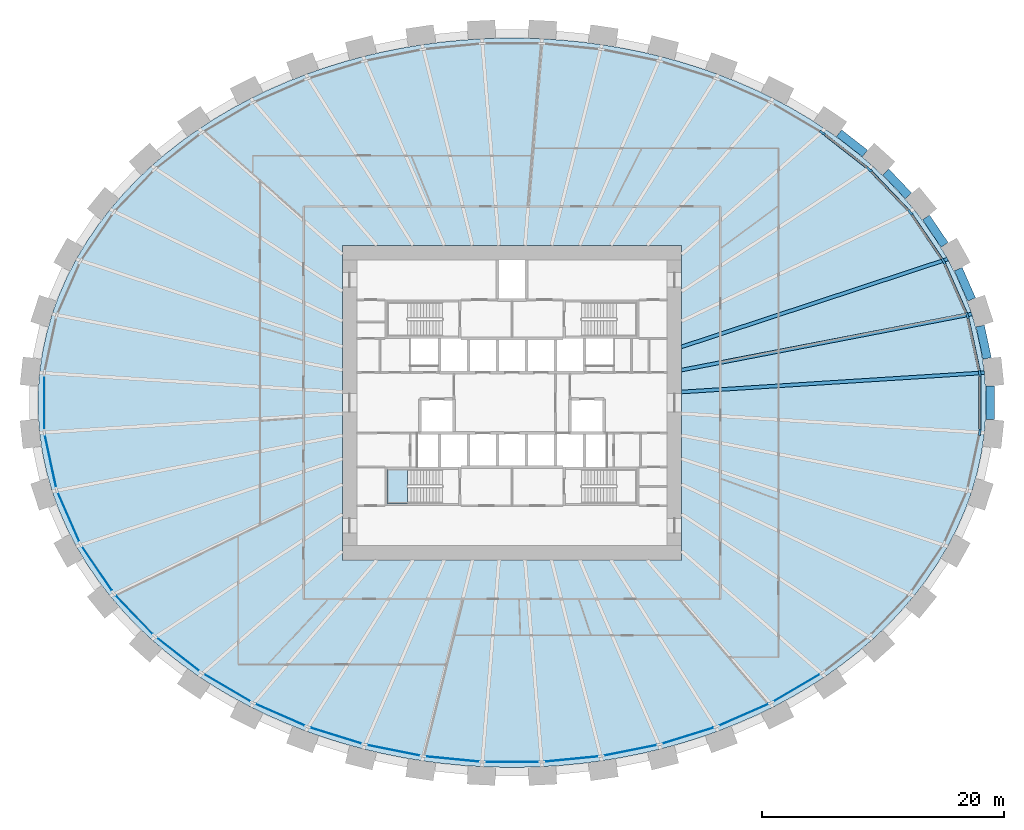
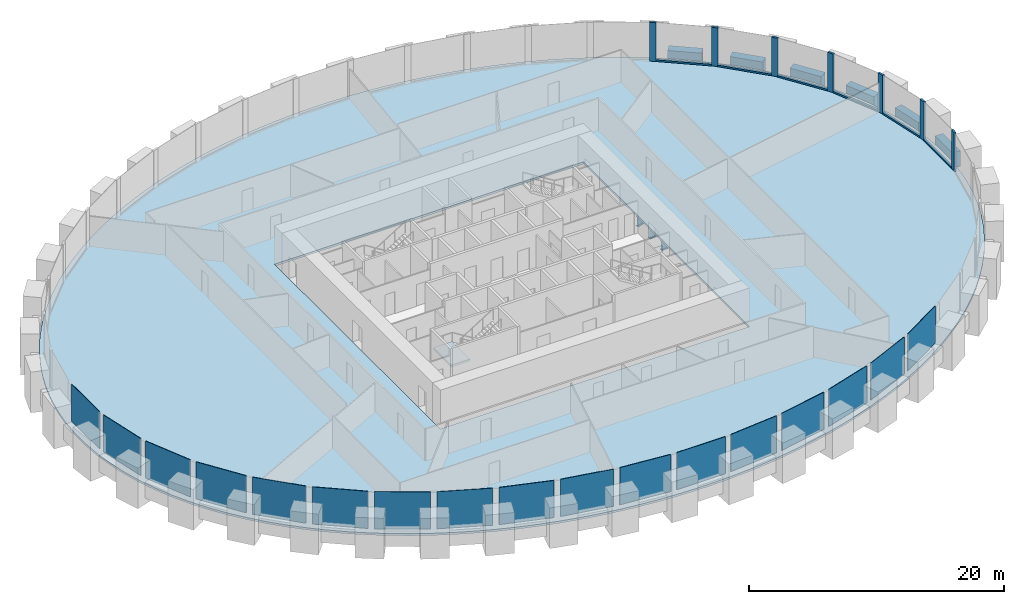
# One storey, part 4 of 10: 17 plates, 13 members, 9 beams, 2 slabs, 2 elements without a shape of their own.
"""IFC4 building model written with IfcOpenShell, lengths in metres."""

from ifc_helpers import new_model, si_unit, direction, frame, origin, origin_2d, place, context, subcontext, project, spatial, polyline, rectangle, i_section, outline, extrude, source, transform, mapped, material, layer, layer_set, material_profile, profile_set, type_object, element, aggregate, save


model = new_model("IFC4")

# Units and contexts
model_context = context("Model", 3, precision=1e-05, world=origin(), true_north=direction((0.0, 1.0)))
body_context = subcontext(model_context, "Body", "Model", "MODEL_VIEW")
ifc_project = project(units=[si_unit("LENGTHUNIT", "METRE"), si_unit("AREAUNIT", "SQUARE_METRE"), si_unit("VOLUMEUNIT", "CUBIC_METRE"), si_unit("PLANEANGLEUNIT", "RADIAN"), si_unit("MASSUNIT", "GRAM", prefix="KILO")], contexts=[model_context])

# Site, building, storey
site_placement = place(None, origin())
site = spatial("IfcSite", under=ifc_project, at=site_placement, CompositionType="ELEMENT")
building_placement = place(site_placement, origin())
building = spatial("IfcBuilding", under=site, at=building_placement, Name="Embergate Tower", CompositionType="ELEMENT")
storey_placement = place(building_placement, frame((0.0, 0.0, 117.199951171875)))
storey = spatial("IfcBuildingStorey", under=building, at=storey_placement, Name="L25", CompositionType="ELEMENT", Elevation=117.199951171875)

# Beams
ifc_material_1 = material(Name="Concrete C70", Category="concrete")
ifc_material_profile_1 = material_profile(ifc_material_1, rectangle(XDim=0.699951171875, YDim=1.5, at=origin_2d()), Name="RC 700x1500")
ifc_profile_set_1 = profile_set([ifc_material_profile_1], Name="Concrete C70")
beam_type_1 = type_object("IfcBeamType", Name="Spandrel beam RC 700x1500 C70", PredefinedType="BEAM", material=ifc_profile_set_1)
shared_shape_1 = source(origin(), body_context, "Body", "SweptSolid", [
    extrude(rectangle(XDim=0.699951171875, YDim=1.5, at=origin_2d()), origin(), (0.0, 0.0, 1.0), 2.741455078125),
])
beam_1_placement = place(storey_placement, frame((39.22509765625, 3.657958984375, 0.0), z_axis=(-0.210532507107, 0.977586857241, 0.0), x_axis=(-0.977586857241, -0.210532507107, 0.0)))
element("IfcBeam", 1, at=beam_1_placement, inside=storey, type_object=beam_type_1, Name="SPN-L25-00", PredefinedType="BEAM", context=body_context, shape_type="MappedRepresentation", body=[
    mapped(shared_shape_1, transform((0.0, 0.0, 0.0))),
])
shared_shape_2 = source(origin(), body_context, "Body", "SweptSolid", [
    extrude(rectangle(XDim=0.699951171875, YDim=1.5, at=origin_2d()), origin(), (0.0, 0.0, 1.0), 2.73779296875),
])
beam_2_placement = place(storey_placement, frame((37.94091796875, 8.52587890625, 0.0), z_axis=(-0.401740219387, 0.915753676556, 0.0), x_axis=(-0.915753676556, -0.401740219387, 0.0)))
element("IfcBeam", 2, at=beam_2_placement, inside=storey, type_object=beam_type_1, Name="SPN-L25-01", PredefinedType="BEAM", context=body_context, shape_type="MappedRepresentation", body=[
    mapped(shared_shape_2, transform((0.0, 0.0, 0.0))),
])
shared_shape_3 = source(origin(), body_context, "Body", "SweptSolid", [
    extrude(rectangle(XDim=0.699951171875, YDim=1.5, at=origin_2d()), origin(), (0.0, 0.0, 1.0), 2.727294921875),
])
beam_3_placement = place(storey_placement, frame((35.7099609375, 13.035888671875, 0.0), z_axis=(-0.562422644454, 0.826849907181, 0.0), x_axis=(-0.826849907181, -0.562422644454, 0.0)))
element("IfcBeam", 3, at=beam_3_placement, inside=storey, type_object=beam_type_1, Name="SPN-L25-02", PredefinedType="BEAM", context=body_context, shape_type="MappedRepresentation", body=[
    mapped(shared_shape_3, transform((0.0, 0.0, 0.0))),
])
shared_shape_4 = source(origin(), body_context, "Body", "SweptSolid", [
    extrude(rectangle(XDim=0.699951171875, YDim=1.5, at=origin_2d()), origin(), (0.0, 0.0, 1.0), 2.720947265625),
])
beam_4_placement = place(storey_placement, frame((32.73095703125, 17.0810546875, 0.0), z_axis=(-0.690174788546, 0.723642702759, 0.0), x_axis=(-0.723642702759, -0.690174788546, 0.0)))
element("IfcBeam", 4, at=beam_4_placement, inside=storey, type_object=beam_type_1, Name="SPN-L25-03", PredefinedType="BEAM", context=body_context, shape_type="MappedRepresentation", body=[
    mapped(shared_shape_4, transform((0.0, 0.0, 0.0))),
])
shared_shape_5 = source(origin(), body_context, "Body", "SweptSolid", [
    extrude(rectangle(XDim=0.699951171875, YDim=1.5, at=origin_2d()), origin(), (0.0, 0.0, 1.0), 2.715087890625),
])
beam_5_placement = place(storey_placement, frame((29.135009765625, 20.5791015625, 0.0), z_axis=(-0.788183854673, 0.61543985184, 0.0), x_axis=(-0.61543985184, -0.788183854673, 0.0)))
element("IfcBeam", 5, at=beam_5_placement, inside=storey, type_object=beam_type_1, Name="SPN-L25-04", PredefinedType="BEAM", context=body_context, shape_type="MappedRepresentation", body=[
    mapped(shared_shape_5, transform((0.0, 0.0, 0.0))),
])
shared_shape_6 = source(origin(), body_context, "Body", "SweptSolid", [
    extrude(rectangle(XDim=0.699951171875, YDim=1.5, at=origin_2d()), origin(), (0.0, 0.0, 1.0), 2.7421875),
])
beam_6_placement = place(storey_placement, frame((39.468017578125, -1.37109375, 0.0), z_axis=(0.0, 1.0, 0.0), x_axis=(-1.0, 0.0, 0.0)))
element("IfcBeam", 6, at=beam_6_placement, inside=storey, type_object=beam_type_1, Name="SPN-L25-43", PredefinedType="BEAM", context=body_context, shape_type="MappedRepresentation", body=[
    mapped(shared_shape_6, transform((0.0, 0.0, 0.0))),
])
ifc_material_2 = material(Name="Steel Q355B", Category="steel")
ifc_material_profile_2 = material_profile(ifc_material_2, i_section(OverallWidth=0.300048828125, OverallDepth=0.89990234375, WebThickness=0.01611328125, FlangeThickness=0.028076171875, FilletRadius=0.028076171875, at=origin_2d()), Name="HN 900x300x16x28")
ifc_profile_set_2 = profile_set([ifc_material_profile_2], Name="Steel Q355 grade B")
beam_type_2 = type_object("IfcBeamType", Name="Radial girder HN 900x300x16x28", PredefinedType="BEAM", material=ifc_profile_set_2)
shared_shape_7 = source(origin(), body_context, "Body", "SweptSolid", [
    extrude(i_section(OverallWidth=0.300048828125, OverallDepth=0.89990234375, WebThickness=0.01611328125, FlangeThickness=0.028076171875, FilletRadius=0.028076171875, at=origin_2d()), origin(), (0.0, 0.0, 1.0), 25.04833984375),
])
beam_7_placement = place(storey_placement, frame((38.998046875, 2.47705078125, -0.64990234375), z_axis=(-0.997988035397, -0.063402533111, 0.0), x_axis=(0.063402533111, -0.997988035397, 0.0)))
element("IfcBeam", 7, at=beam_7_placement, inside=storey, type_object=beam_type_2, Name="GIR-L25-00", PredefinedType="BEAM", context=body_context, shape_type="MappedRepresentation", body=[
    mapped(shared_shape_7, transform((0.0, 0.0, 0.0))),
])
shared_shape_8 = source(origin(), body_context, "Body", "SweptSolid", [
    extrude(i_section(OverallWidth=0.300048828125, OverallDepth=0.89990234375, WebThickness=0.01611328125, FlangeThickness=0.028076171875, FilletRadius=0.028076171875, at=origin_2d()), origin(), (0.0, 0.0, 1.0), 24.397705078125),
])
beam_8_placement = place(storey_placement, frame((37.9560546875, 7.322021484375, -0.64990234375), z_axis=(-0.981898654656, -0.18940705368, 0.0), x_axis=(0.18940705368, -0.981898654656, 0.0)))
element("IfcBeam", 8, at=beam_8_placement, inside=storey, type_object=beam_type_2, Name="GIR-L25-01", PredefinedType="BEAM", context=body_context, shape_type="MappedRepresentation", body=[
    mapped(shared_shape_8, transform((0.0, 0.0, 0.0))),
])
shared_shape_9 = source(origin(), body_context, "Body", "SweptSolid", [
    extrude(i_section(OverallWidth=0.300048828125, OverallDepth=0.89990234375, WebThickness=0.01611328125, FlangeThickness=0.028076171875, FilletRadius=0.028076171875, at=origin_2d()), origin(), (0.0, 0.0, 1.0), 23.12890625),
])
beam_9_placement = place(storey_placement, frame((35.965087890625, 11.861083984375, -0.64990234375), z_axis=(-0.949684454756, -0.313208295541, 0.0), x_axis=(0.313208295541, -0.949684454756, 0.0)))
element("IfcBeam", 9, at=beam_9_placement, inside=storey, type_object=beam_type_2, Name="GIR-L25-02", PredefinedType="BEAM", context=body_context, shape_type="MappedRepresentation", body=[
    mapped(shared_shape_9, transform((0.0, 0.0, 0.0))),
])

# Curtain wall, members
ifc_material_3 = material(Name="Aluminium and glass", Category="aluminium")
curtain_wall_type = type_object("IfcCurtainWallType", Name="Recessed office glazing", PredefinedType="NOTDEFINED", material=ifc_material_3)
curtain_wall_placement = place(storey_placement, origin())
curtain_wall = element("IfcCurtainWall", 10, at=curtain_wall_placement, inside=storey, type_object=curtain_wall_type, Name="Recessed office glazing ring", ObjectType="RECESSED OFFICE GLAZING", PredefinedType="USERDEFINED")
ifc_material_4 = material(Name="Aluminium, thermally broken", Category="aluminium")
ifc_material_profile_3 = material_profile(ifc_material_4, rectangle(XDim=0.179931640625, YDim=0.52001953125, at=origin_2d()), Name="AL 520x180")
ifc_profile_set_3 = profile_set([ifc_material_profile_3], Name="Aluminium, thermally broken")
member_type_1 = type_object("IfcMemberType", Name="Office mullion", PredefinedType="MULLION", material=ifc_profile_set_3)
shared_shape_10 = source(origin(), body_context, "Body", "SweptSolid", [
    extrude(rectangle(XDim=0.179931640625, YDim=0.52001953125, at=origin_2d()), origin(), (0.0, 0.0, 1.0), 3.699951171875),
])
member_1_placement = place(storey_placement, frame((38.610595703125, 2.435791015625, 0.0), z_axis=(0.0, 0.0, 1.0), x_axis=(-0.994385324123, -0.105819786286, 0.0)))
member_1 = element("IfcMember", 11, at=member_1_placement, type_object=member_type_1, Name="CW mullion 1", PredefinedType="MULLION", context=body_context, shape_type="MappedRepresentation", body=[
    mapped(shared_shape_10, transform((0.0, 0.0, 0.0))),
])
member_2_placement = place(storey_placement, frame((37.5849609375, 7.20068359375, 0.0), z_axis=(0.0, 0.0, 1.0), x_axis=(-0.951500482757, -0.30764725143, 0.0)))
member_2 = element("IfcMember", 12, at=member_2_placement, type_object=member_type_1, Name="CW mullion 2", PredefinedType="MULLION", context=body_context, shape_type="MappedRepresentation", body=[
    mapped(shared_shape_10, transform((0.0, 0.0, 0.0))),
])
member_3_placement = place(storey_placement, frame((35.62451171875, 11.6708984375, 0.0), z_axis=(0.0, 0.0, 1.0), x_axis=(-0.875006965472, -0.484110328723, 0.0)))
member_3 = element("IfcMember", 13, at=member_3_placement, type_object=member_type_1, Name="CW mullion 3", PredefinedType="MULLION", context=body_context, shape_type="MappedRepresentation", body=[
    mapped(shared_shape_10, transform((0.0, 0.0, 0.0))),
])
member_4_placement = place(storey_placement, frame((32.87451171875, 15.714599609375, 0.0), z_axis=(0.0, 0.0, 1.0), x_axis=(-0.777879145133, -0.628413904658, 0.0)))
member_4 = element("IfcMember", 14, at=member_4_placement, type_object=member_type_1, Name="CW mullion 4", PredefinedType="MULLION", context=body_context, shape_type="MappedRepresentation", body=[
    mapped(shared_shape_10, transform((0.0, 0.0, 0.0))),
])
member_5_placement = place(storey_placement, frame((29.49365234375, 19.260009765625, 0.0), z_axis=(0.0, 0.0, 1.0), x_axis=(-0.671233002577, -0.741246420734, 0.0)))
member_5 = element("IfcMember", 15, at=member_5_placement, type_object=member_type_1, Name="CW mullion 5", PredefinedType="MULLION", context=body_context, shape_type="MappedRepresentation", body=[
    mapped(shared_shape_10, transform((0.0, 0.0, 0.0))),
])
member_6_placement = place(storey_placement, frame((25.6259765625, 22.278564453125, 0.0), z_axis=(0.0, 0.0, 1.0), x_axis=(-0.562223392005, -0.826985403428, 0.0)))
member_6 = element("IfcMember", 16, at=member_6_placement, type_object=member_type_1, Name="CW mullion 6", PredefinedType="MULLION", context=body_context, shape_type="MappedRepresentation", body=[
    mapped(shared_shape_10, transform((0.0, 0.0, 0.0))),
])
member_7_placement = place(storey_placement, frame((38.610595703125, -2.435791015625, 0.0), z_axis=(0.0, 0.0, 1.0), x_axis=(-0.994385324123, 0.105819786286, 0.0)))
member_7 = element("IfcMember", 17, at=member_7_placement, type_object=member_type_1, Name="CW mullion 44", PredefinedType="MULLION", context=body_context, shape_type="MappedRepresentation", body=[
    mapped(shared_shape_10, transform((0.0, 0.0, 0.0))),
])
ifc_material_profile_4 = material_profile(ifc_material_4, rectangle(XDim=0.179931640625, YDim=0.14990234375, at=origin_2d()), Name="AL 150x180")
ifc_profile_set_4 = profile_set([ifc_material_profile_4], Name="Aluminium, thermally broken")
member_type_2 = type_object("IfcMemberType", Name="Office sill transom", PredefinedType="USERDEFINED", material=ifc_profile_set_4)
shared_shape_11 = source(origin(), body_context, "Body", "SweptSolid", [
    extrude(rectangle(XDim=0.179931640625, YDim=0.14990234375, at=origin_2d()), origin(), (0.0, 0.0, 1.0), 4.361083984375),
])
member_8_placement = place(storey_placement, frame((37.48046875, 7.43896484375, 0.074951171875), z_axis=(-0.401614544281, 0.915808799817, 0.0), x_axis=(-0.915808799817, -0.401614544281, 0.0)))
member_8 = element("IfcMember", 18, at=member_8_placement, type_object=member_type_2, Name="CW transom 2.1", ObjectType="TRANSOM", PredefinedType="USERDEFINED", context=body_context, shape_type="MappedRepresentation", body=[
    mapped(shared_shape_11, transform((0.0, 0.0, 0.0))),
])
shared_shape_12 = source(origin(), body_context, "Body", "SweptSolid", [
    extrude(rectangle(XDim=0.179931640625, YDim=0.14990234375, at=origin_2d()), origin(), (0.0, 0.0, 1.0), 4.37890625),
])
member_9_placement = place(storey_placement, frame((32.695068359375, 15.90283203125, 0.074951171875), z_axis=(-0.690125589668, 0.723689623032, 0.0), x_axis=(-0.723689623032, -0.690125589668, 0.0)))
member_9 = element("IfcMember", 19, at=member_9_placement, type_object=member_type_2, Name="CW transom 4.1", ObjectType="TRANSOM", PredefinedType="USERDEFINED", context=body_context, shape_type="MappedRepresentation", body=[
    mapped(shared_shape_12, transform((0.0, 0.0, 0.0))),
])
shared_shape_13 = source(origin(), body_context, "Body", "SweptSolid", [
    extrude(rectangle(XDim=0.179931640625, YDim=0.14990234375, at=origin_2d()), origin(), (0.0, 0.0, 1.0), 4.354248046875),
])
member_10_placement = place(storey_placement, frame((38.555908203125, 2.68994140625, 0.074951171875), z_axis=(-0.21042500241, 0.977610003202, 0.0), x_axis=(-0.977610003202, -0.21042500241, 0.0)))
member_10 = element("IfcMember", 20, at=member_10_placement, type_object=member_type_2, Name="CW transom 1.1", ObjectType="TRANSOM", PredefinedType="USERDEFINED", context=body_context, shape_type="MappedRepresentation", body=[
    mapped(shared_shape_13, transform((0.0, 0.0, 0.0))),
])
shared_shape_14 = source(origin(), body_context, "Body", "SweptSolid", [
    extrude(rectangle(XDim=0.179931640625, YDim=0.14990234375, at=origin_2d()), origin(), (0.0, 0.0, 1.0), 4.3701171875),
])
member_11_placement = place(storey_placement, frame((35.478271484375, 11.885986328125, 0.074951171875), z_axis=(-0.562334469625, 0.826909876753, 0.0), x_axis=(-0.826909876753, -0.562334469625, 0.0)))
member_11 = element("IfcMember", 21, at=member_11_placement, type_object=member_type_2, Name="CW transom 3.1", ObjectType="TRANSOM", PredefinedType="USERDEFINED", context=body_context, shape_type="MappedRepresentation", body=[
    mapped(shared_shape_14, transform((0.0, 0.0, 0.0))),
])
shared_shape_15 = source(origin(), body_context, "Body", "SweptSolid", [
    extrude(rectangle(XDim=0.179931640625, YDim=0.14990234375, at=origin_2d()), origin(), (0.0, 0.0, 1.0), 4.386474609375),
])
member_12_placement = place(storey_placement, frame((29.288818359375, 19.419921875, 0.074951171875), z_axis=(-0.78833816957, 0.615242172156, 0.0), x_axis=(-0.615242172156, -0.78833816957, 0.0)))
member_12 = element("IfcMember", 22, at=member_12_placement, type_object=member_type_2, Name="CW transom 5.1", ObjectType="TRANSOM", PredefinedType="USERDEFINED", context=body_context, shape_type="MappedRepresentation", body=[
    mapped(shared_shape_15, transform((0.0, 0.0, 0.0))),
])
shared_shape_16 = source(origin(), body_context, "Body", "SweptSolid", [
    extrude(rectangle(XDim=0.179931640625, YDim=0.14990234375, at=origin_2d()), origin(), (0.0, 0.0, 1.0), 4.3515625),
])
member_13_placement = place(storey_placement, frame((38.610595703125, -2.17578125, 0.074951171875), z_axis=(0.0, 1.0, 0.0), x_axis=(-1.0, 0.0, 0.0)))
member_13 = element("IfcMember", 23, at=member_13_placement, type_object=member_type_2, Name="CW transom 44.1", ObjectType="TRANSOM", PredefinedType="USERDEFINED", context=body_context, shape_type="MappedRepresentation", body=[
    mapped(shared_shape_16, transform((0.0, 0.0, 0.0))),
])

# Slab
ifc_material_5 = material(Name="Concrete C40", Category="concrete")
ifc_layer_1 = layer(ifc_material_5, 0.199951171875)
ifc_layer_set_1 = layer_set([ifc_layer_1], Name="Concrete C40")
slab_type_1 = type_object("IfcSlabType", Name="Composite floor slab C40 200", PredefinedType="FLOOR", material=ifc_layer_set_1)
shared_shape_17 = source(origin(), body_context, "Body", "SweptSolid", [
    extrude(outline(polyline([(0.0, 0.0), (1.65576171875, 0.0), (3.308837890625, 0.053955078125), (4.9638671875, 0.162109375), (6.61083984375, 0.323974609375), (8.246826171875, 0.5390625), (9.886962890625, 0.81103515625), (11.509765625, 1.135986328125), (13.11279296875, 1.514892578125), (14.718994140625, 1.952880859375), (16.298828125, 2.446044921875), (17.849853515625, 2.989990234375), (19.40283203125, 3.60107421875), (20.919921875, 4.263916015625), (22.39599609375, 4.97802734375), (23.870849609375, 5.764892578125), (25.296875, 6.60400390625), (26.6728515625, 7.491943359375), (28.037841796875, 8.4619140625), (29.3427734375, 9.47998046875), (30.582763671875, 10.5439453125), (31.7998046875, 11.697021484375), (32.94189453125, 12.89404296875), (34.0048828125, 14.133056640625), (35.02490234375, 15.462890625), (35.954833984375, 16.830078125), (36.79296875, 18.23291015625), (37.560791015625, 19.718017578125), (38.224853515625, 21.23291015625), (38.783935546875, 22.77197265625), (39.244873046875, 24.3720703125), (39.5927734375, 25.988037109375), (39.825927734375, 27.616943359375), (39.94384765625, 29.26708984375), (39.94384765625, 30.9208984375), (39.825927734375, 32.571044921875), (39.5927734375, 34.199951171875), (39.244873046875, 35.81591796875), (38.783935546875, 37.416015625), (38.224853515625, 38.955078125), (37.560791015625, 40.469970703125), (36.79296875, 41.955078125), (35.954833984375, 43.35791015625), (35.02490234375, 44.72509765625), (34.0048828125, 46.054931640625), (32.94189453125, 47.2939453125), (31.7998046875, 48.490966796875), (30.582763671875, 49.64404296875), (29.3427734375, 50.7080078125), (28.037841796875, 51.72607421875), (26.6728515625, 52.696044921875), (25.296875, 53.583984375), (23.870849609375, 54.423095703125), (22.39599609375, 55.2099609375), (20.919921875, 55.924072265625), (19.40283203125, 56.5869140625), (17.849853515625, 57.197998046875), (16.298828125, 57.741943359375), (14.718994140625, 58.235107421875), (13.11279296875, 58.673095703125), (11.509765625, 59.052001953125), (9.886962890625, 59.376953125), (8.246826171875, 59.64892578125), (6.61083984375, 59.864013671875), (4.9638671875, 60.02587890625), (3.308837890625, 60.134033203125), (1.65576171875, 60.18798828125), (0.0, 60.18798828125), (-1.653076171875, 60.134033203125), (-3.30810546875, 60.02587890625), (-4.955078125, 59.864013671875), (-6.591064453125, 59.64892578125), (-8.231201171875, 59.376953125), (-9.85400390625, 59.052001953125), (-11.45703125, 58.673095703125), (-13.063232421875, 58.235107421875), (-14.64306640625, 57.741943359375), (-16.194091796875, 57.197998046875), (-17.7470703125, 56.5869140625), (-19.26416015625, 55.924072265625), (-20.740234375, 55.2099609375), (-22.215087890625, 54.423095703125), (-23.64111328125, 53.583984375), (-25.01708984375, 52.696044921875), (-26.382080078125, 51.72607421875), (-27.68701171875, 50.7080078125), (-28.927001953125, 49.64404296875), (-30.14404296875, 48.490966796875), (-31.2861328125, 47.2939453125), (-32.34912109375, 46.054931640625), (-33.369140625, 44.72509765625), (-34.299072265625, 43.35791015625), (-35.13720703125, 41.955078125), (-35.905029296875, 40.469970703125), (-36.569091796875, 38.955078125), (-37.128173828125, 37.416015625), (-37.589111328125, 35.81591796875), (-37.93701171875, 34.199951171875), (-38.170166015625, 32.571044921875), (-38.2880859375, 30.9208984375), (-38.2880859375, 29.26708984375), (-38.170166015625, 27.616943359375), (-37.93701171875, 25.988037109375), (-37.589111328125, 24.3720703125), (-37.128173828125, 22.77197265625), (-36.569091796875, 21.23291015625), (-35.905029296875, 19.718017578125), (-35.13720703125, 18.23291015625), (-34.299072265625, 16.830078125), (-33.369140625, 15.462890625), (-32.34912109375, 14.133056640625), (-31.2861328125, 12.89404296875), (-30.14404296875, 11.697021484375), (-28.927001953125, 10.5439453125), (-27.68701171875, 9.47998046875), (-26.382080078125, 8.4619140625), (-25.01708984375, 7.491943359375), (-23.64111328125, 6.60400390625), (-22.215087890625, 5.764892578125), (-20.740234375, 4.97802734375), (-19.26416015625, 4.263916015625), (-17.7470703125, 3.60107421875), (-16.194091796875, 2.989990234375), (-14.64306640625, 2.446044921875), (-13.063232421875, 1.952880859375), (-11.45703125, 1.514892578125), (-9.85400390625, 1.135986328125), (-8.231201171875, 0.81103515625), (-6.591064453125, 0.5390625), (-4.955078125, 0.323974609375), (-3.30810546875, 0.162109375), (-1.653076171875, 0.053955078125), (0.0, 0.0)]), holes=[polyline([(-13.172119140625, 17.093994140625), (-13.172119140625, 43.093994140625), (14.827880859375, 43.093994140625), (14.827880859375, 17.093994140625), (-13.172119140625, 17.093994140625)])]), origin(), (0.0, 0.0, 1.0), 0.199951171875),
])
slab_1_placement = place(storey_placement, frame((-0.827880859375, -30.093994140625, -0.199951171875)))
element("IfcSlab", 24, at=slab_1_placement, inside=storey, type_object=slab_type_1, Name="SLB-L25-00", PredefinedType="FLOOR", context=body_context, shape_type="MappedRepresentation", body=[
    mapped(shared_shape_17, transform((0.0, 0.0, 0.0))),
])

# Plate
ifc_material_6 = material(Name="Triple glazing, low-emissivity coating", Category="glass")
ifc_layer_2 = layer(ifc_material_6, 0.035888671875)
ifc_layer_set_2 = layer_set([ifc_layer_2], Name="Triple glazing, low-emissivity coating")
plate_type = type_object("IfcPlateType", Name="Office glazing unit", PredefinedType="CURTAIN_PANEL", material=ifc_layer_set_2)
shared_shape_18 = source(origin(), body_context, "Body", "SweptSolid", [
    extrude(rectangle(XDim=4.37890625, YDim=0.035888671875, at=origin_2d()), origin(), (0.0, 0.0, 1.0), 3.550048828125),
])
plate_1_placement = place(storey_placement, frame((-31.18408203125, -17.4873046875, 0.14990234375), z_axis=(0.0, 0.0, 1.0), x_axis=(0.690129995266, -0.723685421737, 0.0)))
plate_1 = element("IfcPlate", 25, at=plate_1_placement, type_object=plate_type, Name="CW panel 26.1", PredefinedType="CURTAIN_PANEL", context=body_context, shape_type="MappedRepresentation", body=[
    mapped(shared_shape_18, transform((0.0, 0.0, 0.0))),
])

shared_shape_19 = source(origin(), body_context, "Body", "SweptSolid", [
    extrude(rectangle(XDim=4.354248046875, YDim=0.035888671875, at=origin_2d()), origin(), (0.0, 0.0, 1.0), 3.550048828125),
])
plate_2_placement = place(storey_placement, frame((-38.09765625, -4.818359375, 0.14990234375), z_axis=(0.0, 0.0, 1.0), x_axis=(0.210394978653, -0.977616465163, 0.0)))
plate_2 = element("IfcPlate", 26, at=plate_2_placement, type_object=plate_type, Name="CW panel 23.1", PredefinedType="CURTAIN_PANEL", context=body_context, shape_type="MappedRepresentation", body=[
    mapped(shared_shape_19, transform((0.0, 0.0, 0.0))),
])

shared_shape_20 = source(origin(), body_context, "Body", "SweptSolid", [
    extrude(rectangle(XDim=4.361083984375, YDim=0.035888671875, at=origin_2d()), origin(), (0.0, 0.0, 1.0), 3.550048828125),
])
plate_3_placement = place(storey_placement, frame((-36.604736328125, -9.435791015625, 0.14990234375), z_axis=(0.0, 0.0, 1.0), x_axis=(0.401647306074, -0.915794431913, 0.0)))
plate_3 = element("IfcPlate", 27, at=plate_3_placement, type_object=plate_type, Name="CW panel 24.1", PredefinedType="CURTAIN_PANEL", context=body_context, shape_type="MappedRepresentation", body=[
    mapped(shared_shape_20, transform((0.0, 0.0, 0.0))),
])

shared_shape_21 = source(origin(), body_context, "Body", "SweptSolid", [
    extrude(rectangle(XDim=4.3701171875, YDim=0.035888671875, at=origin_2d()), origin(), (0.0, 0.0, 1.0), 3.550048828125),
])
plate_4_placement = place(storey_placement, frame((-34.24951171875, -13.69287109375, 0.14990234375), z_axis=(0.0, 0.0, 1.0), x_axis=(0.562337412243, -0.826907875638, 0.0)))
plate_4 = element("IfcPlate", 28, at=plate_4_placement, type_object=plate_type, Name="CW panel 25.1", PredefinedType="CURTAIN_PANEL", context=body_context, shape_type="MappedRepresentation", body=[
    mapped(shared_shape_21, transform((0.0, 0.0, 0.0))),
])

shared_shape_22 = source(origin(), body_context, "Body", "SweptSolid", [
    extrude(rectangle(XDim=4.386474609375, YDim=0.035888671875, at=origin_2d()), origin(), (0.0, 0.0, 1.0), 3.550048828125),
])
plate_5_placement = place(storey_placement, frame((-27.559814453125, -20.769287109375, 0.14990234375), z_axis=(0.0, 0.0, 1.0), x_axis=(0.788316897722, -0.615269427784, 0.0)))
plate_5 = element("IfcPlate", 29, at=plate_5_placement, type_object=plate_type, Name="CW panel 27.1", PredefinedType="CURTAIN_PANEL", context=body_context, shape_type="MappedRepresentation", body=[
    mapped(shared_shape_22, transform((0.0, 0.0, 0.0))),
])

shared_shape_23 = source(origin(), body_context, "Body", "SweptSolid", [
    extrude(rectangle(XDim=4.392333984375, YDim=0.035888671875, at=origin_2d()), origin(), (0.0, 0.0, 1.0), 3.550048828125),
])
plate_6_placement = place(storey_placement, frame((-23.508544921875, -23.5234375, 0.14990234375), z_axis=(0.0, 0.0, 1.0), x_axis=(0.862050514108, -0.506822366443, 0.0)))
plate_6 = element("IfcPlate", 30, at=plate_6_placement, type_object=plate_type, Name="CW panel 28.1", PredefinedType="CURTAIN_PANEL", context=body_context, shape_type="MappedRepresentation", body=[
    mapped(shared_shape_23, transform((0.0, 0.0, 0.0))),
])

plate_7_placement = place(storey_placement, frame((23.508544921875, -23.5234375, 0.14990234375), z_axis=(0.0, 0.0, 1.0), x_axis=(0.862050514108, 0.506822366443, 0.0)))
plate_7 = element("IfcPlate", 31, at=plate_7_placement, type_object=plate_type, Name="CW panel 38.1", PredefinedType="CURTAIN_PANEL", context=body_context, shape_type="MappedRepresentation", body=[
    mapped(shared_shape_23, transform((0.0, 0.0, 0.0))),
])

shared_shape_24 = source(origin(), body_context, "Body", "SweptSolid", [
    extrude(rectangle(XDim=4.39697265625, YDim=0.035888671875, at=origin_2d()), origin(), (0.0, 0.0, 1.0), 3.550048828125),
])
plate_8_placement = place(storey_placement, frame((-19.138671875, -25.75341796875, 0.14990234375), z_axis=(0.0, 0.0, 1.0), x_axis=(0.91623411399, -0.400643293168, 0.0)))
plate_8 = element("IfcPlate", 32, at=plate_8_placement, type_object=plate_type, Name="CW panel 29.1", PredefinedType="CURTAIN_PANEL", context=body_context, shape_type="MappedRepresentation", body=[
    mapped(shared_shape_24, transform((0.0, 0.0, 0.0))),
])

plate_9_placement = place(storey_placement, frame((19.138671875, -25.75341796875, 0.14990234375), z_axis=(0.0, 0.0, 1.0), x_axis=(0.91623411399, 0.400643293168, 0.0)))
plate_9 = element("IfcPlate", 33, at=plate_9_placement, type_object=plate_type, Name="CW panel 37.1", PredefinedType="CURTAIN_PANEL", context=body_context, shape_type="MappedRepresentation", body=[
    mapped(shared_shape_24, transform((0.0, 0.0, 0.0))),
])

shared_shape_25 = source(origin(), body_context, "Body", "SweptSolid", [
    extrude(rectangle(XDim=4.400146484375, YDim=0.035888671875, at=origin_2d()), origin(), (0.0, 0.0, 1.0), 3.550048828125),
])
plate_10_placement = place(storey_placement, frame((-14.537353515625, -27.4697265625, 0.14990234375), z_axis=(0.0, 0.0, 1.0), x_axis=(0.954771179262, -0.297341546458, 0.0)))
plate_10 = element("IfcPlate", 34, at=plate_10_placement, type_object=plate_type, Name="CW panel 30.1", PredefinedType="CURTAIN_PANEL", context=body_context, shape_type="MappedRepresentation", body=[
    mapped(shared_shape_25, transform((0.0, 0.0, 0.0))),
])

plate_11_placement = place(storey_placement, frame((14.537353515625, -27.4697265625, 0.14990234375), z_axis=(0.0, 0.0, 1.0), x_axis=(0.954771179262, 0.297341546458, 0.0)))
plate_11 = element("IfcPlate", 35, at=plate_11_placement, type_object=plate_type, Name="CW panel 36.1", PredefinedType="CURTAIN_PANEL", context=body_context, shape_type="MappedRepresentation", body=[
    mapped(shared_shape_25, transform((0.0, 0.0, 0.0))),
])

shared_shape_26 = source(origin(), body_context, "Body", "SweptSolid", [
    extrude(rectangle(XDim=4.40234375, YDim=0.035888671875, at=origin_2d()), origin(), (0.0, 0.0, 1.0), 3.550048828125),
])
plate_12_placement = place(storey_placement, frame((-9.775390625, -28.685302734375, 0.14990234375), z_axis=(0.0, 0.0, 1.0), x_axis=(0.980475221003, -0.196642673395, 0.0)))
plate_12 = element("IfcPlate", 36, at=plate_12_placement, type_object=plate_type, Name="CW panel 31.1", PredefinedType="CURTAIN_PANEL", context=body_context, shape_type="MappedRepresentation", body=[
    mapped(shared_shape_26, transform((0.0, 0.0, 0.0))),
])

plate_13_placement = place(storey_placement, frame((9.775390625, -28.685302734375, 0.14990234375), z_axis=(0.0, 0.0, 1.0), x_axis=(0.980475221003, 0.196642673395, 0.0)))
plate_13 = element("IfcPlate", 37, at=plate_13_placement, type_object=plate_type, Name="CW panel 35.1", PredefinedType="CURTAIN_PANEL", context=body_context, shape_type="MappedRepresentation", body=[
    mapped(shared_shape_26, transform((0.0, 0.0, 0.0))),
])

shared_shape_27 = source(origin(), body_context, "Body", "SweptSolid", [
    extrude(rectangle(XDim=4.40380859375, YDim=0.035888671875, at=origin_2d()), origin(), (0.0, 0.0, 1.0), 3.550048828125),
])
plate_14_placement = place(storey_placement, frame((-4.912109375, -29.41015625, 0.14990234375), z_axis=(0.0, 0.0, 1.0), x_axis=(0.995203014042, -0.097831287645, 0.0)))
plate_14 = element("IfcPlate", 38, at=plate_14_placement, type_object=plate_type, Name="CW panel 32.1", PredefinedType="CURTAIN_PANEL", context=body_context, shape_type="MappedRepresentation", body=[
    mapped(shared_shape_27, transform((0.0, 0.0, 0.0))),
])

plate_15_placement = place(storey_placement, frame((4.912109375, -29.41015625, 0.14990234375), z_axis=(0.0, 0.0, 1.0), x_axis=(0.995203014042, 0.097831287645, 0.0)))
plate_15 = element("IfcPlate", 39, at=plate_15_placement, type_object=plate_type, Name="CW panel 34.1", PredefinedType="CURTAIN_PANEL", context=body_context, shape_type="MappedRepresentation", body=[
    mapped(shared_shape_27, transform((0.0, 0.0, 0.0))),
])

shared_shape_28 = source(origin(), body_context, "Body", "SweptSolid", [
    extrude(rectangle(XDim=4.404052734375, YDim=0.035888671875, at=origin_2d()), origin(), (0.0, 0.0, 1.0), 3.550048828125),
])
plate_16_placement = place(storey_placement, frame((0.0, -29.65087890625, 0.14990234375), z_axis=(0.0, 0.0, 1.0), x_axis=(1.0, 0.0, 0.0)))
plate_16 = element("IfcPlate", 40, at=plate_16_placement, type_object=plate_type, Name="CW panel 33.1", PredefinedType="CURTAIN_PANEL", context=body_context, shape_type="MappedRepresentation", body=[
    mapped(shared_shape_28, transform((0.0, 0.0, 0.0))),
])

shared_shape_29 = source(origin(), body_context, "Body", "SweptSolid", [
    extrude(rectangle(XDim=4.3515625, YDim=0.035888671875, at=origin_2d()), origin(), (0.0, 0.0, 1.0), 3.550048828125),
])
plate_17_placement = place(storey_placement, frame((-38.610595703125, 0.0, 0.14990234375), z_axis=(0.0, 0.0, 1.0), x_axis=(0.0, -1.0, 0.0)))
plate_17 = element("IfcPlate", 41, at=plate_17_placement, type_object=plate_type, Name="CW panel 22.1", PredefinedType="CURTAIN_PANEL", context=body_context, shape_type="MappedRepresentation", body=[
    mapped(shared_shape_29, transform((0.0, 0.0, 0.0))),
])

aggregate(curtain_wall, [member_1, member_2, member_3, member_4, member_5, member_6, member_7, member_10, member_8, member_11, member_9, member_12, plate_17, plate_2, plate_3, plate_4, plate_1, plate_5, plate_6, plate_8, plate_10, plate_12, plate_14, plate_16, plate_15, plate_13, plate_11, plate_9, plate_7, member_13])

# Stair, slab
ifc_material_7 = material(Name="Exit stair")
stair_type = type_object("IfcStairType", Name="Exit stair", PredefinedType="HALF_TURN_STAIR", material=ifc_material_7)
stair_placement = place(storey_placement, origin())
stair = element("IfcStair", 42, at=stair_placement, inside=storey, type_object=stair_type, Name="L25 Exit stair 3", PredefinedType="HALF_TURN_STAIR")
ifc_layer_3 = layer(ifc_material_5, 0.199951171875)
ifc_layer_set_3 = layer_set([ifc_layer_3], Name="Concrete C40")
slab_type_2 = type_object("IfcSlabType", Name="Stair landing reinforced concrete", PredefinedType="LANDING", material=ifc_layer_set_3)
shared_shape_30 = source(origin(), body_context, "Body", "SweptSolid", [
    extrude(outline(polyline([(0.0, 0.0), (1.68994140625, 0.0), (1.68994140625, 2.800048828125), (0.0, 2.800048828125), (0.0, 0.0)])), origin(), (0.0, 0.0, 1.0), 0.199951171875),
])
slab_2_placement = place(storey_placement, frame((-10.300048828125, -8.300048828125, 1.75)))
slab_2 = element("IfcSlab", 43, at=slab_2_placement, type_object=slab_type_2, Name="ST3 landing 1", PredefinedType="LANDING", context=body_context, shape_type="MappedRepresentation", body=[
    mapped(shared_shape_30, transform((0.0, 0.0, 0.0))),
])
aggregate(stair, [slab_2])

save(model, "model.ifc")
